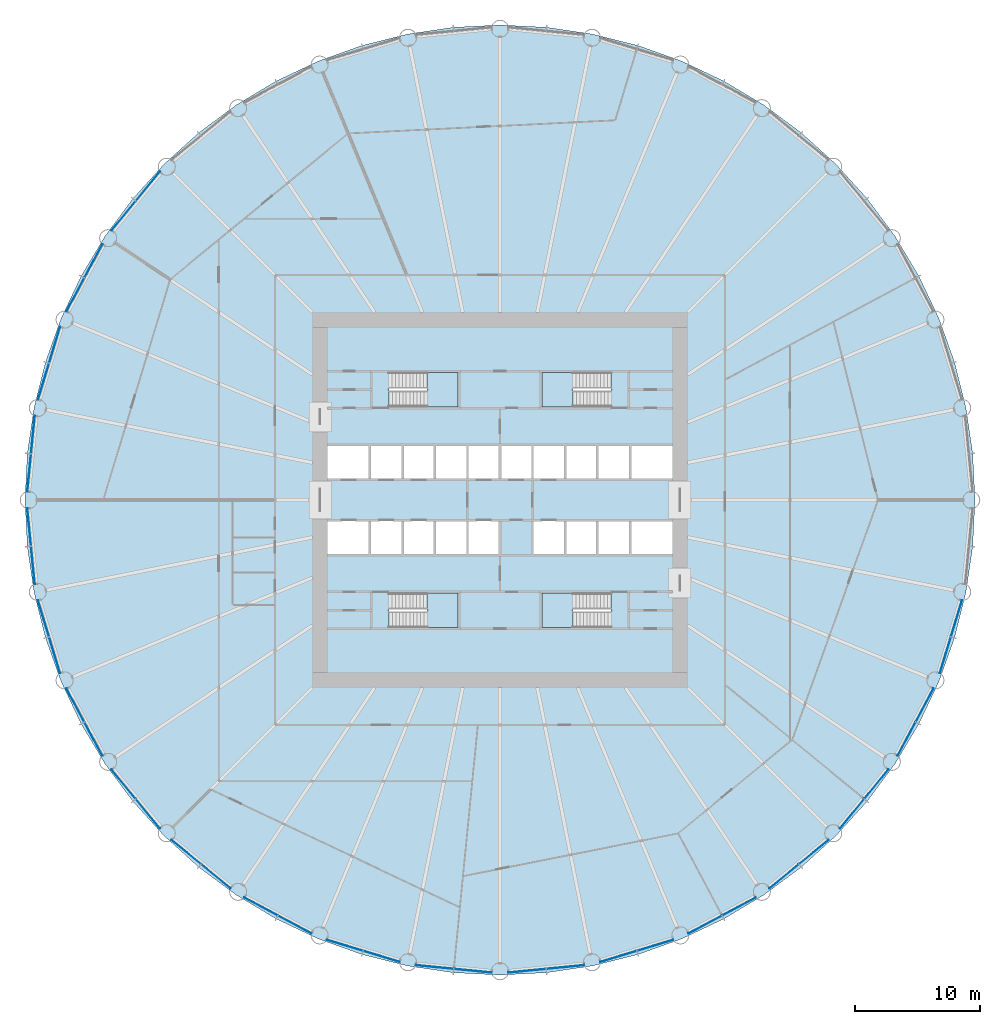
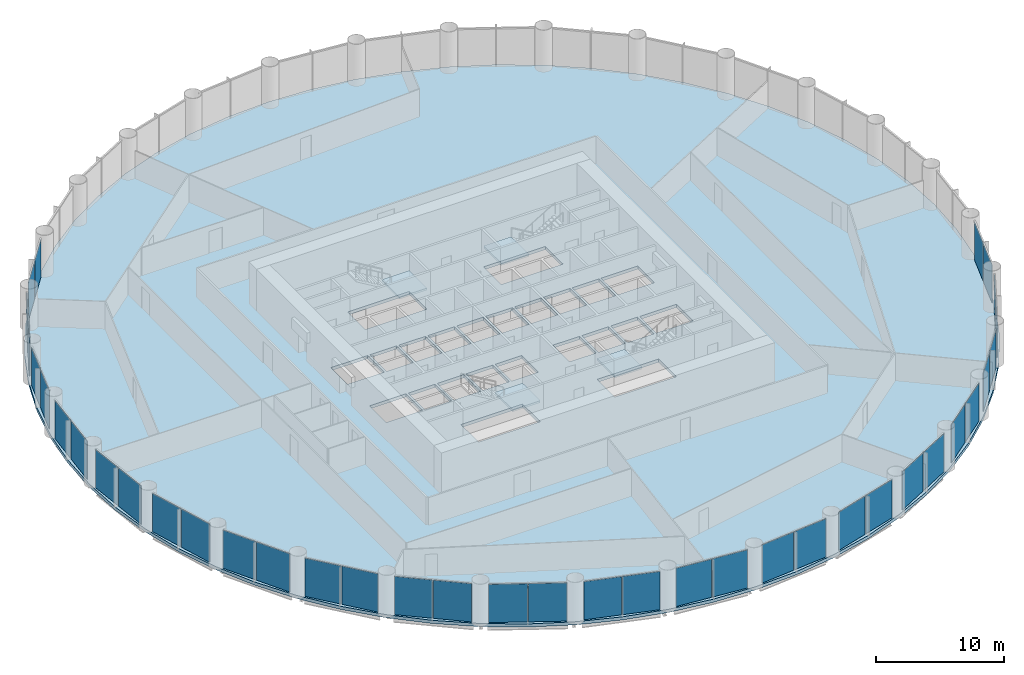
# One storey, part 8 of 14: 38 plates, 5 slabs, 23 elements without a shape of their own.
"""IFC4 building model written with IfcOpenShell, lengths in metres."""

from ifc_helpers import new_model, si_unit, direction, frame, origin, origin_2d, place, context, subcontext, project, spatial, polyline, rectangle, outline, extrude, material, layer, layer_set, type_object, element, aggregate, save


model = new_model("IFC4")

# Units and contexts
model_context = context("Model", 3, precision=1e-05, world=origin(), true_north=direction((0.0, 1.0)))
body_context = subcontext(model_context, "Body", "Model", "MODEL_VIEW")
ifc_project = project(units=[si_unit("LENGTHUNIT", "METRE"), si_unit("AREAUNIT", "SQUARE_METRE"), si_unit("VOLUMEUNIT", "CUBIC_METRE"), si_unit("PLANEANGLEUNIT", "RADIAN"), si_unit("MASSUNIT", "GRAM", prefix="KILO")], contexts=[model_context])

# Site, building, storey
site_placement = place(None, origin())
site = spatial("IfcSite", under=ifc_project, at=site_placement, CompositionType="ELEMENT")
building_placement = place(site_placement, origin())
building = spatial("IfcBuilding", under=site, at=building_placement, Name="Corvane Civic Tower", CompositionType="ELEMENT")
storey_placement = place(building_placement, frame((0.0, 0.0, 81.0)))
storey = spatial("IfcBuildingStorey", under=building, at=storey_placement, Name="L18", CompositionType="ELEMENT", Elevation=81.0)

# Slab
ifc_material_1 = material(Name="Concrete C40/50", Category="concrete")
ifc_layer_1 = layer(ifc_material_1, 0.300048828125)
ifc_layer_set_1 = layer_set([ifc_layer_1], Name="Concrete C40/50")
slab_type_1 = type_object("IfcSlabType", Name="FLOOR SLAB 300", PredefinedType="FLOOR", material=ifc_layer_set_1)
slab_1_placement = place(storey_placement, frame((0.0, 0.0, -0.300048828125)))
element("IfcSlab", 1, at=slab_1_placement, inside=storey, type_object=slab_type_1, Name="SLB-L18", PredefinedType="FLOOR", context=body_context, shape_type="SweptSolid", body=[
    extrude(outline(polyline([(0.0, 38.0), (-3.724609375, 37.817138671875), (-7.413330078125, 37.269775390625), (-11.03076171875, 36.36376953125), (-14.5419921875, 35.107421875), (-17.9130859375, 33.512939453125), (-21.111572265625, 31.595947265625), (-24.10693359375, 29.37451171875), (-26.8701171875, 26.8701171875), (-29.37451171875, 24.10693359375), (-31.595947265625, 21.111572265625), (-33.512939453125, 17.9130859375), (-35.107421875, 14.5419921875), (-36.36376953125, 11.03076171875), (-37.269775390625, 7.413330078125), (-37.817138671875, 3.724609375), (-38.0, 0.0), (-37.817138671875, -3.724609375), (-37.269775390625, -7.413330078125), (-36.36376953125, -11.03076171875), (-35.107421875, -14.5419921875), (-33.512939453125, -17.9130859375), (-31.595947265625, -21.111572265625), (-29.37451171875, -24.10693359375), (-26.8701171875, -26.8701171875), (-24.10693359375, -29.37451171875), (-21.111572265625, -31.595947265625), (-17.9130859375, -33.512939453125), (-14.5419921875, -35.107421875), (-11.03076171875, -36.36376953125), (-7.413330078125, -37.269775390625), (-3.724609375, -37.817138671875), (0.0, -38.0), (3.724609375, -37.817138671875), (7.413330078125, -37.269775390625), (11.03076171875, -36.36376953125), (14.5419921875, -35.107421875), (17.9130859375, -33.512939453125), (21.111572265625, -31.595947265625), (24.10693359375, -29.37451171875), (26.8701171875, -26.8701171875), (29.37451171875, -24.10693359375), (31.595947265625, -21.111572265625), (33.512939453125, -17.9130859375), (35.107421875, -14.5419921875), (36.36376953125, -11.03076171875), (37.269775390625, -7.413330078125), (37.817138671875, -3.724609375), (38.0, 0.0), (37.817138671875, 3.724609375), (37.269775390625, 7.413330078125), (36.36376953125, 11.03076171875), (35.107421875, 14.5419921875), (33.512939453125, 17.9130859375), (31.595947265625, 21.111572265625), (29.37451171875, 24.10693359375), (26.8701171875, 26.8701171875), (24.10693359375, 29.37451171875), (21.111572265625, 31.595947265625), (17.9130859375, 33.512939453125), (14.5419921875, 35.107421875), (11.03076171875, 36.36376953125), (7.413330078125, 37.269775390625), (3.724609375, 37.817138671875), (0.0, 38.0)]), holes=[polyline([(-13.800048828125, 4.300048828125), (-10.5, 4.300048828125), (-10.5, 1.699951171875), (-13.800048828125, 1.699951171875), (-13.800048828125, 4.300048828125)]), polyline([(-7.89990234375, 1.699951171875), (-10.300048828125, 1.699951171875), (-10.300048828125, 4.300048828125), (-7.89990234375, 4.300048828125), (-7.89990234375, 1.699951171875)]), polyline([(-7.699951171875, 4.300048828125), (-5.300048828125, 4.300048828125), (-5.300048828125, 1.699951171875), (-7.699951171875, 1.699951171875), (-7.699951171875, 4.300048828125)]), polyline([(-5.10009765625, 4.300048828125), (-2.699951171875, 4.300048828125), (-2.699951171875, 1.699951171875), (-5.10009765625, 1.699951171875), (-5.10009765625, 4.300048828125)]), polyline([(-0.10009765625, 1.699951171875), (-2.5, 1.699951171875), (-2.5, 4.300048828125), (-0.10009765625, 4.300048828125), (-0.10009765625, 1.699951171875)]), polyline([(2.5, 1.699951171875), (0.10009765625, 1.699951171875), (0.10009765625, 4.300048828125), (2.5, 4.300048828125), (2.5, 1.699951171875)]), polyline([(5.10009765625, 1.699951171875), (2.699951171875, 1.699951171875), (2.699951171875, 4.300048828125), (5.10009765625, 4.300048828125), (5.10009765625, 1.699951171875)]), polyline([(5.300048828125, 4.300048828125), (7.699951171875, 4.300048828125), (7.699951171875, 1.699951171875), (5.300048828125, 1.699951171875), (5.300048828125, 4.300048828125)]), polyline([(7.89990234375, 4.300048828125), (10.300048828125, 4.300048828125), (10.300048828125, 1.699951171875), (7.89990234375, 1.699951171875), (7.89990234375, 4.300048828125)]), polyline([(13.800048828125, 1.699951171875), (10.5, 1.699951171875), (10.5, 4.300048828125), (13.800048828125, 4.300048828125), (13.800048828125, 1.699951171875)]), polyline([(-13.800048828125, -1.699951171875), (-10.5, -1.699951171875), (-10.5, -4.300048828125), (-13.800048828125, -4.300048828125), (-13.800048828125, -1.699951171875)]), polyline([(-7.89990234375, -1.699951171875), (-7.89990234375, -4.300048828125), (-10.300048828125, -4.300048828125), (-10.300048828125, -1.699951171875), (-7.89990234375, -1.699951171875)]), polyline([(-5.300048828125, -1.699951171875), (-5.300048828125, -4.300048828125), (-7.699951171875, -4.300048828125), (-7.699951171875, -1.699951171875), (-5.300048828125, -1.699951171875)]), polyline([(-2.699951171875, -1.699951171875), (-2.699951171875, -4.300048828125), (-5.10009765625, -4.300048828125), (-5.10009765625, -1.699951171875), (-2.699951171875, -1.699951171875)]), polyline([(-2.5, -4.300048828125), (-2.5, -1.699951171875), (-0.10009765625, -1.699951171875), (-0.10009765625, -4.300048828125), (-2.5, -4.300048828125)]), polyline([(5.10009765625, -1.699951171875), (5.10009765625, -4.300048828125), (2.699951171875, -4.300048828125), (2.699951171875, -1.699951171875), (5.10009765625, -1.699951171875)]), polyline([(7.699951171875, -1.699951171875), (7.699951171875, -4.300048828125), (5.300048828125, -4.300048828125), (5.300048828125, -1.699951171875), (7.699951171875, -1.699951171875)]), polyline([(10.300048828125, -1.699951171875), (10.300048828125, -4.300048828125), (7.89990234375, -4.300048828125), (7.89990234375, -1.699951171875), (10.300048828125, -1.699951171875)]), polyline([(13.800048828125, -4.300048828125), (10.5, -4.300048828125), (10.5, -1.699951171875), (13.800048828125, -1.699951171875), (13.800048828125, -4.300048828125)]), polyline([(8.889892578125, 10.199951171875), (8.889892578125, 7.449951171875), (3.35009765625, 7.449951171875), (3.35009765625, 10.199951171875), (8.889892578125, 10.199951171875)]), polyline([(-8.889892578125, 7.449951171875), (-8.889892578125, 10.199951171875), (-3.35009765625, 10.199951171875), (-3.35009765625, 7.449951171875), (-8.889892578125, 7.449951171875)]), polyline([(8.889892578125, -7.449951171875), (8.889892578125, -10.199951171875), (3.35009765625, -10.199951171875), (3.35009765625, -7.449951171875), (8.889892578125, -7.449951171875)]), polyline([(-8.889892578125, -10.199951171875), (-8.889892578125, -7.449951171875), (-3.35009765625, -7.449951171875), (-3.35009765625, -10.199951171875), (-8.889892578125, -10.199951171875)])]), origin(), (0.0, 0.0, 1.0), 0.300048828125),
])

# Stair, slab
ifc_material_2 = material(Name="Concrete C40/50", Category="concrete")
stair_type = type_object("IfcStairType", Name="ST-STAIR-HALFTURN", PredefinedType="HALF_TURN_STAIR", material=ifc_material_2)
stair_1_placement = place(storey_placement, origin())
stair_1 = element("IfcStair", 2, at=stair_1_placement, inside=storey, type_object=stair_type, Name="L18 Exit stair ST1", PredefinedType="HALF_TURN_STAIR")
ifc_material_3 = material(Name="Concrete C40/50", Category="concrete")
ifc_layer_2 = layer(ifc_material_3, 0.199951171875)
ifc_layer_set_2 = layer_set([ifc_layer_2], Name="Concrete C40/50")
slab_type_2 = type_object("IfcSlabType", Name="ST-LANDING-RC", PredefinedType="LANDING", material=ifc_layer_set_2)
slab_2_placement = place(storey_placement, frame((0.0, 0.0, 1.800048828125)))
slab_2 = element("IfcSlab", 3, at=slab_2_placement, type_object=slab_type_2, Name="ST1 landing 1", PredefinedType="LANDING", context=body_context, shape_type="SweptSolid", body=[
    extrude(outline(polyline([(5.820068359375, 10.199951171875), (3.35009765625, 10.199951171875), (3.35009765625, 7.449951171875), (5.820068359375, 7.449951171875), (5.820068359375, 10.199951171875)])), origin(), (0.0, 0.0, 1.0), 0.199951171875),
])
aggregate(stair_1, [slab_2])

stair_2_placement = place(storey_placement, origin())
stair_2 = element("IfcStair", 4, at=stair_2_placement, inside=storey, type_object=stair_type, Name="L18 Exit stair ST2", PredefinedType="HALF_TURN_STAIR")
slab_3_placement = place(storey_placement, frame((0.0, 0.0, 1.800048828125)))
slab_3 = element("IfcSlab", 5, at=slab_3_placement, type_object=slab_type_2, Name="ST2 landing 1", PredefinedType="LANDING", context=body_context, shape_type="SweptSolid", body=[
    extrude(outline(polyline([(5.820068359375, -7.449951171875), (3.35009765625, -7.449951171875), (3.35009765625, -10.199951171875), (5.820068359375, -10.199951171875), (5.820068359375, -7.449951171875)])), origin(), (0.0, 0.0, 1.0), 0.199951171875),
])
aggregate(stair_2, [slab_3])

stair_3_placement = place(storey_placement, origin())
stair_3 = element("IfcStair", 6, at=stair_3_placement, inside=storey, type_object=stair_type, Name="L18 Exit stair ST3", PredefinedType="HALF_TURN_STAIR")
slab_4_placement = place(storey_placement, frame((0.0, 0.0, 1.800048828125)))
slab_4 = element("IfcSlab", 7, at=slab_4_placement, type_object=slab_type_2, Name="ST3 landing 1", PredefinedType="LANDING", context=body_context, shape_type="SweptSolid", body=[
    extrude(outline(polyline([(-5.820068359375, -10.199951171875), (-3.35009765625, -10.199951171875), (-3.35009765625, -7.449951171875), (-5.820068359375, -7.449951171875), (-5.820068359375, -10.199951171875)])), origin(), (0.0, 0.0, 1.0), 0.199951171875),
])
aggregate(stair_3, [slab_4])

stair_4_placement = place(storey_placement, origin())
stair_4 = element("IfcStair", 8, at=stair_4_placement, inside=storey, type_object=stair_type, Name="L18 Exit stair ST4", PredefinedType="HALF_TURN_STAIR")
slab_5_placement = place(storey_placement, frame((0.0, 0.0, 1.800048828125)))
slab_5 = element("IfcSlab", 9, at=slab_5_placement, type_object=slab_type_2, Name="ST4 landing 1", PredefinedType="LANDING", context=body_context, shape_type="SweptSolid", body=[
    extrude(outline(polyline([(-5.820068359375, 7.449951171875), (-3.35009765625, 7.449951171875), (-3.35009765625, 10.199951171875), (-5.820068359375, 10.199951171875), (-5.820068359375, 7.449951171875)])), origin(), (0.0, 0.0, 1.0), 0.199951171875),
])
aggregate(stair_4, [slab_5])

# Curtain wall, plates
ifc_material_4 = material(Name="Anodised aluminium bronze", Category="aluminium")
curtain_wall_type = type_object("IfcCurtainWallType", Name="TOWER CW-T1 STICK CURTAIN WALL", PredefinedType="NOTDEFINED", material=ifc_material_4)
curtain_wall_1_placement = place(storey_placement, origin())
curtain_wall_1 = element("IfcCurtainWall", 10, at=curtain_wall_1_placement, inside=storey, type_object=curtain_wall_type, Name="Curtain wall CW-T1 L18 bay 10", PredefinedType="NOTDEFINED")
ifc_material_5 = material(Name="Tinted glass", Category="glass")
ifc_layer_3 = layer(ifc_material_5, 0.035888671875)
ifc_layer_set_3 = layer_set([ifc_layer_3], Name="Tinted glass")
plate_type = type_object("IfcPlateType", Name="TOWER CW-T1 PANEL IGU36", PredefinedType="CURTAIN_PANEL", material=ifc_layer_set_3)
plate_1_placement = place(storey_placement, frame((36.522705078125, -9.46533203125, 0.0), z_axis=(0.0, 0.0, 1.0), x_axis=(-0.290278397654, -0.956942240606, 0.0)))
plate_1 = element("IfcPlate", 11, at=plate_1_placement, type_object=plate_type, Name="Glass panel CW-T1 L18 10.1", PredefinedType="CURTAIN_PANEL", context=body_context, shape_type="SweptSolid", body=[
    extrude(rectangle(XDim=3.008544921875, YDim=0.035888671875, at=origin_2d()), origin(), (0.0, 0.0, 1.0), 3.6298828125),
])
plate_2_placement = place(storey_placement, frame((35.6259765625, -12.4208984375, 0.0), z_axis=(0.0, 0.0, 1.0), x_axis=(-0.290278397654, -0.956942240606, 0.0)))
plate_2 = element("IfcPlate", 12, at=plate_2_placement, type_object=plate_type, Name="Glass panel CW-T1 L18 10.2", PredefinedType="CURTAIN_PANEL", context=body_context, shape_type="SweptSolid", body=[
    extrude(rectangle(XDim=3.008544921875, YDim=0.035888671875, at=origin_2d()), origin(), (0.0, 0.0, 1.0), 3.6298828125),
])
aggregate(curtain_wall_1, [plate_1, plate_2])

curtain_wall_2_placement = place(storey_placement, origin())
curtain_wall_2 = element("IfcCurtainWall", 13, at=curtain_wall_2_placement, inside=storey, type_object=curtain_wall_type, Name="Curtain wall CW-T1 L18 bay 11", PredefinedType="NOTDEFINED")
plate_3_placement = place(storey_placement, frame((33.974365234375, -16.40869140625, 0.0), z_axis=(0.0, 0.0, 1.0), x_axis=(-0.471403725359, -0.881917528864, 0.0)))
plate_3 = element("IfcPlate", 14, at=plate_3_placement, type_object=plate_type, Name="Glass panel CW-T1 L18 11.1", PredefinedType="CURTAIN_PANEL", context=body_context, shape_type="SweptSolid", body=[
    extrude(rectangle(XDim=3.008544921875, YDim=0.035888671875, at=origin_2d()), origin(), (0.0, 0.0, 1.0), 3.6298828125),
])
plate_4_placement = place(storey_placement, frame((32.518310546875, -19.132568359375, 0.0), z_axis=(0.0, 0.0, 1.0), x_axis=(-0.471403725359, -0.881917528864, 0.0)))
plate_4 = element("IfcPlate", 15, at=plate_4_placement, type_object=plate_type, Name="Glass panel CW-T1 L18 11.2", PredefinedType="CURTAIN_PANEL", context=body_context, shape_type="SweptSolid", body=[
    extrude(rectangle(XDim=3.008544921875, YDim=0.035888671875, at=origin_2d()), origin(), (0.0, 0.0, 1.0), 3.6298828125),
])
aggregate(curtain_wall_2, [plate_3, plate_4])

curtain_wall_3_placement = place(storey_placement, origin())
curtain_wall_3 = element("IfcCurtainWall", 16, at=curtain_wall_3_placement, inside=storey, type_object=curtain_wall_type, Name="Curtain wall CW-T1 L18 bay 12", PredefinedType="NOTDEFINED")
plate_5_placement = place(storey_placement, frame((30.120361328125, -22.721435546875, 0.0), z_axis=(0.0, 0.0, 1.0), x_axis=(-0.634397218569, -0.773007224463, 0.0)))
plate_5 = element("IfcPlate", 17, at=plate_5_placement, type_object=plate_type, Name="Glass panel CW-T1 L18 12.1", PredefinedType="CURTAIN_PANEL", context=body_context, shape_type="SweptSolid", body=[
    extrude(rectangle(XDim=3.008544921875, YDim=0.035888671875, at=origin_2d()), origin(), (0.0, 0.0, 1.0), 3.6298828125),
])
plate_6_placement = place(storey_placement, frame((28.160888671875, -25.10888671875, 0.0), z_axis=(0.0, 0.0, 1.0), x_axis=(-0.634397218569, -0.773007224463, 0.0)))
plate_6 = element("IfcPlate", 18, at=plate_6_placement, type_object=plate_type, Name="Glass panel CW-T1 L18 12.2", PredefinedType="CURTAIN_PANEL", context=body_context, shape_type="SweptSolid", body=[
    extrude(rectangle(XDim=3.008544921875, YDim=0.035888671875, at=origin_2d()), origin(), (0.0, 0.0, 1.0), 3.6298828125),
])
aggregate(curtain_wall_3, [plate_5, plate_6])

curtain_wall_4_placement = place(storey_placement, origin())
curtain_wall_4 = element("IfcCurtainWall", 19, at=curtain_wall_4_placement, inside=storey, type_object=curtain_wall_type, Name="Curtain wall CW-T1 L18 bay 13", PredefinedType="NOTDEFINED")
plate_7_placement = place(storey_placement, frame((25.10888671875, -28.160888671875, 0.0), z_axis=(0.0, 0.0, 1.0), x_axis=(-0.773007224463, -0.634397218569, 0.0)))
plate_7 = element("IfcPlate", 20, at=plate_7_placement, type_object=plate_type, Name="Glass panel CW-T1 L18 13.1", PredefinedType="CURTAIN_PANEL", context=body_context, shape_type="SweptSolid", body=[
    extrude(rectangle(XDim=3.008544921875, YDim=0.035888671875, at=origin_2d()), origin(), (0.0, 0.0, 1.0), 3.6298828125),
])
plate_8_placement = place(storey_placement, frame((22.721435546875, -30.120361328125, 0.0), z_axis=(0.0, 0.0, 1.0), x_axis=(-0.773007224463, -0.634397218569, 0.0)))
plate_8 = element("IfcPlate", 21, at=plate_8_placement, type_object=plate_type, Name="Glass panel CW-T1 L18 13.2", PredefinedType="CURTAIN_PANEL", context=body_context, shape_type="SweptSolid", body=[
    extrude(rectangle(XDim=3.008544921875, YDim=0.035888671875, at=origin_2d()), origin(), (0.0, 0.0, 1.0), 3.6298828125),
])
aggregate(curtain_wall_4, [plate_7, plate_8])

curtain_wall_5_placement = place(storey_placement, origin())
curtain_wall_5 = element("IfcCurtainWall", 22, at=curtain_wall_5_placement, inside=storey, type_object=curtain_wall_type, Name="Curtain wall CW-T1 L18 bay 14", PredefinedType="NOTDEFINED")
plate_9_placement = place(storey_placement, frame((19.132568359375, -32.518310546875, 0.0), z_axis=(0.0, 0.0, 1.0), x_axis=(-0.881917528864, -0.471403725359, 0.0)))
plate_9 = element("IfcPlate", 23, at=plate_9_placement, type_object=plate_type, Name="Glass panel CW-T1 L18 14.1", PredefinedType="CURTAIN_PANEL", context=body_context, shape_type="SweptSolid", body=[
    extrude(rectangle(XDim=3.008544921875, YDim=0.035888671875, at=origin_2d()), origin(), (0.0, 0.0, 1.0), 3.6298828125),
])
plate_10_placement = place(storey_placement, frame((16.40869140625, -33.974365234375, 0.0), z_axis=(0.0, 0.0, 1.0), x_axis=(-0.881917528864, -0.471403725359, 0.0)))
plate_10 = element("IfcPlate", 24, at=plate_10_placement, type_object=plate_type, Name="Glass panel CW-T1 L18 14.2", PredefinedType="CURTAIN_PANEL", context=body_context, shape_type="SweptSolid", body=[
    extrude(rectangle(XDim=3.008544921875, YDim=0.035888671875, at=origin_2d()), origin(), (0.0, 0.0, 1.0), 3.6298828125),
])
aggregate(curtain_wall_5, [plate_9, plate_10])

curtain_wall_6_placement = place(storey_placement, origin())
curtain_wall_6 = element("IfcCurtainWall", 25, at=curtain_wall_6_placement, inside=storey, type_object=curtain_wall_type, Name="Curtain wall CW-T1 L18 bay 15", PredefinedType="NOTDEFINED")
plate_11_placement = place(storey_placement, frame((12.4208984375, -35.6259765625, 0.0), z_axis=(0.0, 0.0, 1.0), x_axis=(-0.956942240606, -0.290278397654, 0.0)))
plate_11 = element("IfcPlate", 26, at=plate_11_placement, type_object=plate_type, Name="Glass panel CW-T1 L18 15.1", PredefinedType="CURTAIN_PANEL", context=body_context, shape_type="SweptSolid", body=[
    extrude(rectangle(XDim=3.008544921875, YDim=0.035888671875, at=origin_2d()), origin(), (0.0, 0.0, 1.0), 3.6298828125),
])
plate_12_placement = place(storey_placement, frame((9.46533203125, -36.522705078125, 0.0), z_axis=(0.0, 0.0, 1.0), x_axis=(-0.956942240606, -0.290278397654, 0.0)))
plate_12 = element("IfcPlate", 27, at=plate_12_placement, type_object=plate_type, Name="Glass panel CW-T1 L18 15.2", PredefinedType="CURTAIN_PANEL", context=body_context, shape_type="SweptSolid", body=[
    extrude(rectangle(XDim=3.008544921875, YDim=0.035888671875, at=origin_2d()), origin(), (0.0, 0.0, 1.0), 3.6298828125),
])
aggregate(curtain_wall_6, [plate_11, plate_12])

curtain_wall_7_placement = place(storey_placement, origin())
curtain_wall_7 = element("IfcCurtainWall", 28, at=curtain_wall_7_placement, inside=storey, type_object=curtain_wall_type, Name="Curtain wall CW-T1 L18 bay 16", PredefinedType="NOTDEFINED")
plate_13_placement = place(storey_placement, frame((5.23193359375, -37.36474609375, 0.0), z_axis=(0.0, 0.0, 1.0), x_axis=(-0.995185800248, -0.098006239521, 0.0)))
plate_13 = element("IfcPlate", 29, at=plate_13_placement, type_object=plate_type, Name="Glass panel CW-T1 L18 16.1", PredefinedType="CURTAIN_PANEL", context=body_context, shape_type="SweptSolid", body=[
    extrude(rectangle(XDim=3.008544921875, YDim=0.035888671875, at=origin_2d()), origin(), (0.0, 0.0, 1.0), 3.6298828125),
])
plate_14_placement = place(storey_placement, frame((2.158203125, -37.667236328125, 0.0), z_axis=(0.0, 0.0, 1.0), x_axis=(-0.995185800248, -0.098006239521, 0.0)))
plate_14 = element("IfcPlate", 30, at=plate_14_placement, type_object=plate_type, Name="Glass panel CW-T1 L18 16.2", PredefinedType="CURTAIN_PANEL", context=body_context, shape_type="SweptSolid", body=[
    extrude(rectangle(XDim=3.008544921875, YDim=0.035888671875, at=origin_2d()), origin(), (0.0, 0.0, 1.0), 3.6298828125),
])
aggregate(curtain_wall_7, [plate_13, plate_14])

curtain_wall_8_placement = place(storey_placement, origin())
curtain_wall_8 = element("IfcCurtainWall", 31, at=curtain_wall_8_placement, inside=storey, type_object=curtain_wall_type, Name="Curtain wall CW-T1 L18 bay 17", PredefinedType="NOTDEFINED")
plate_15_placement = place(storey_placement, frame((-2.158203125, -37.667236328125, 0.0), z_axis=(0.0, 0.0, 1.0), x_axis=(-0.995185800248, 0.098006239521, 0.0)))
plate_15 = element("IfcPlate", 32, at=plate_15_placement, type_object=plate_type, Name="Glass panel CW-T1 L18 17.1", PredefinedType="CURTAIN_PANEL", context=body_context, shape_type="SweptSolid", body=[
    extrude(rectangle(XDim=3.008544921875, YDim=0.035888671875, at=origin_2d()), origin(), (0.0, 0.0, 1.0), 3.6298828125),
])
plate_16_placement = place(storey_placement, frame((-5.23193359375, -37.36474609375, 0.0), z_axis=(0.0, 0.0, 1.0), x_axis=(-0.995185800248, 0.098006239521, 0.0)))
plate_16 = element("IfcPlate", 33, at=plate_16_placement, type_object=plate_type, Name="Glass panel CW-T1 L18 17.2", PredefinedType="CURTAIN_PANEL", context=body_context, shape_type="SweptSolid", body=[
    extrude(rectangle(XDim=3.008544921875, YDim=0.035888671875, at=origin_2d()), origin(), (0.0, 0.0, 1.0), 3.6298828125),
])
aggregate(curtain_wall_8, [plate_15, plate_16])

curtain_wall_9_placement = place(storey_placement, origin())
curtain_wall_9 = element("IfcCurtainWall", 34, at=curtain_wall_9_placement, inside=storey, type_object=curtain_wall_type, Name="Curtain wall CW-T1 L18 bay 18", PredefinedType="NOTDEFINED")
plate_17_placement = place(storey_placement, frame((-9.46533203125, -36.522705078125, 0.0), z_axis=(0.0, 0.0, 1.0), x_axis=(-0.956942240606, 0.290278397654, 0.0)))
plate_17 = element("IfcPlate", 35, at=plate_17_placement, type_object=plate_type, Name="Glass panel CW-T1 L18 18.1", PredefinedType="CURTAIN_PANEL", context=body_context, shape_type="SweptSolid", body=[
    extrude(rectangle(XDim=3.008544921875, YDim=0.035888671875, at=origin_2d()), origin(), (0.0, 0.0, 1.0), 3.6298828125),
])
plate_18_placement = place(storey_placement, frame((-12.4208984375, -35.6259765625, 0.0), z_axis=(0.0, 0.0, 1.0), x_axis=(-0.956942240606, 0.290278397654, 0.0)))
plate_18 = element("IfcPlate", 36, at=plate_18_placement, type_object=plate_type, Name="Glass panel CW-T1 L18 18.2", PredefinedType="CURTAIN_PANEL", context=body_context, shape_type="SweptSolid", body=[
    extrude(rectangle(XDim=3.008544921875, YDim=0.035888671875, at=origin_2d()), origin(), (0.0, 0.0, 1.0), 3.6298828125),
])
aggregate(curtain_wall_9, [plate_17, plate_18])

curtain_wall_10_placement = place(storey_placement, origin())
curtain_wall_10 = element("IfcCurtainWall", 37, at=curtain_wall_10_placement, inside=storey, type_object=curtain_wall_type, Name="Curtain wall CW-T1 L18 bay 19", PredefinedType="NOTDEFINED")
plate_19_placement = place(storey_placement, frame((-16.40869140625, -33.974365234375, 0.0), z_axis=(0.0, 0.0, 1.0), x_axis=(-0.881917528864, 0.471403725359, 0.0)))
plate_19 = element("IfcPlate", 38, at=plate_19_placement, type_object=plate_type, Name="Glass panel CW-T1 L18 19.1", PredefinedType="CURTAIN_PANEL", context=body_context, shape_type="SweptSolid", body=[
    extrude(rectangle(XDim=3.008544921875, YDim=0.035888671875, at=origin_2d()), origin(), (0.0, 0.0, 1.0), 3.6298828125),
])
plate_20_placement = place(storey_placement, frame((-19.132568359375, -32.518310546875, 0.0), z_axis=(0.0, 0.0, 1.0), x_axis=(-0.881917528864, 0.471403725359, 0.0)))
plate_20 = element("IfcPlate", 39, at=plate_20_placement, type_object=plate_type, Name="Glass panel CW-T1 L18 19.2", PredefinedType="CURTAIN_PANEL", context=body_context, shape_type="SweptSolid", body=[
    extrude(rectangle(XDim=3.008544921875, YDim=0.035888671875, at=origin_2d()), origin(), (0.0, 0.0, 1.0), 3.6298828125),
])
aggregate(curtain_wall_10, [plate_19, plate_20])

curtain_wall_11_placement = place(storey_placement, origin())
curtain_wall_11 = element("IfcCurtainWall", 40, at=curtain_wall_11_placement, inside=storey, type_object=curtain_wall_type, Name="Curtain wall CW-T1 L18 bay 20", PredefinedType="NOTDEFINED")
plate_21_placement = place(storey_placement, frame((-22.721435546875, -30.120361328125, 0.0), z_axis=(0.0, 0.0, 1.0), x_axis=(-0.773007224463, 0.634397218569, 0.0)))
plate_21 = element("IfcPlate", 41, at=plate_21_placement, type_object=plate_type, Name="Glass panel CW-T1 L18 20.1", PredefinedType="CURTAIN_PANEL", context=body_context, shape_type="SweptSolid", body=[
    extrude(rectangle(XDim=3.008544921875, YDim=0.035888671875, at=origin_2d()), origin(), (0.0, 0.0, 1.0), 3.6298828125),
])
plate_22_placement = place(storey_placement, frame((-25.10888671875, -28.160888671875, 0.0), z_axis=(0.0, 0.0, 1.0), x_axis=(-0.773007224463, 0.634397218569, 0.0)))
plate_22 = element("IfcPlate", 42, at=plate_22_placement, type_object=plate_type, Name="Glass panel CW-T1 L18 20.2", PredefinedType="CURTAIN_PANEL", context=body_context, shape_type="SweptSolid", body=[
    extrude(rectangle(XDim=3.008544921875, YDim=0.035888671875, at=origin_2d()), origin(), (0.0, 0.0, 1.0), 3.6298828125),
])
aggregate(curtain_wall_11, [plate_21, plate_22])

curtain_wall_12_placement = place(storey_placement, origin())
curtain_wall_12 = element("IfcCurtainWall", 43, at=curtain_wall_12_placement, inside=storey, type_object=curtain_wall_type, Name="Curtain wall CW-T1 L18 bay 21", PredefinedType="NOTDEFINED")
plate_23_placement = place(storey_placement, frame((-28.160888671875, -25.10888671875, 0.0), z_axis=(0.0, 0.0, 1.0), x_axis=(-0.634397218569, 0.773007224463, 0.0)))
plate_23 = element("IfcPlate", 44, at=plate_23_placement, type_object=plate_type, Name="Glass panel CW-T1 L18 21.1", PredefinedType="CURTAIN_PANEL", context=body_context, shape_type="SweptSolid", body=[
    extrude(rectangle(XDim=3.008544921875, YDim=0.035888671875, at=origin_2d()), origin(), (0.0, 0.0, 1.0), 3.6298828125),
])
plate_24_placement = place(storey_placement, frame((-30.120361328125, -22.721435546875, 0.0), z_axis=(0.0, 0.0, 1.0), x_axis=(-0.634397218569, 0.773007224463, 0.0)))
plate_24 = element("IfcPlate", 45, at=plate_24_placement, type_object=plate_type, Name="Glass panel CW-T1 L18 21.2", PredefinedType="CURTAIN_PANEL", context=body_context, shape_type="SweptSolid", body=[
    extrude(rectangle(XDim=3.008544921875, YDim=0.035888671875, at=origin_2d()), origin(), (0.0, 0.0, 1.0), 3.6298828125),
])
aggregate(curtain_wall_12, [plate_23, plate_24])

curtain_wall_13_placement = place(storey_placement, origin())
curtain_wall_13 = element("IfcCurtainWall", 46, at=curtain_wall_13_placement, inside=storey, type_object=curtain_wall_type, Name="Curtain wall CW-T1 L18 bay 22", PredefinedType="NOTDEFINED")
plate_25_placement = place(storey_placement, frame((-32.518310546875, -19.132568359375, 0.0), z_axis=(0.0, 0.0, 1.0), x_axis=(-0.471403725359, 0.881917528864, 0.0)))
plate_25 = element("IfcPlate", 47, at=plate_25_placement, type_object=plate_type, Name="Glass panel CW-T1 L18 22.1", PredefinedType="CURTAIN_PANEL", context=body_context, shape_type="SweptSolid", body=[
    extrude(rectangle(XDim=3.008544921875, YDim=0.035888671875, at=origin_2d()), origin(), (0.0, 0.0, 1.0), 3.6298828125),
])
plate_26_placement = place(storey_placement, frame((-33.974365234375, -16.40869140625, 0.0), z_axis=(0.0, 0.0, 1.0), x_axis=(-0.471403725359, 0.881917528864, 0.0)))
plate_26 = element("IfcPlate", 48, at=plate_26_placement, type_object=plate_type, Name="Glass panel CW-T1 L18 22.2", PredefinedType="CURTAIN_PANEL", context=body_context, shape_type="SweptSolid", body=[
    extrude(rectangle(XDim=3.008544921875, YDim=0.035888671875, at=origin_2d()), origin(), (0.0, 0.0, 1.0), 3.6298828125),
])
aggregate(curtain_wall_13, [plate_25, plate_26])

curtain_wall_14_placement = place(storey_placement, origin())
curtain_wall_14 = element("IfcCurtainWall", 49, at=curtain_wall_14_placement, inside=storey, type_object=curtain_wall_type, Name="Curtain wall CW-T1 L18 bay 23", PredefinedType="NOTDEFINED")
plate_27_placement = place(storey_placement, frame((-35.6259765625, -12.4208984375, 0.0), z_axis=(0.0, 0.0, 1.0), x_axis=(-0.290278397654, 0.956942240606, 0.0)))
plate_27 = element("IfcPlate", 50, at=plate_27_placement, type_object=plate_type, Name="Glass panel CW-T1 L18 23.1", PredefinedType="CURTAIN_PANEL", context=body_context, shape_type="SweptSolid", body=[
    extrude(rectangle(XDim=3.008544921875, YDim=0.035888671875, at=origin_2d()), origin(), (0.0, 0.0, 1.0), 3.6298828125),
])
plate_28_placement = place(storey_placement, frame((-36.522705078125, -9.46533203125, 0.0), z_axis=(0.0, 0.0, 1.0), x_axis=(-0.290278397654, 0.956942240606, 0.0)))
plate_28 = element("IfcPlate", 51, at=plate_28_placement, type_object=plate_type, Name="Glass panel CW-T1 L18 23.2", PredefinedType="CURTAIN_PANEL", context=body_context, shape_type="SweptSolid", body=[
    extrude(rectangle(XDim=3.008544921875, YDim=0.035888671875, at=origin_2d()), origin(), (0.0, 0.0, 1.0), 3.6298828125),
])
aggregate(curtain_wall_14, [plate_27, plate_28])

curtain_wall_15_placement = place(storey_placement, origin())
curtain_wall_15 = element("IfcCurtainWall", 52, at=curtain_wall_15_placement, inside=storey, type_object=curtain_wall_type, Name="Curtain wall CW-T1 L18 bay 24", PredefinedType="NOTDEFINED")
plate_29_placement = place(storey_placement, frame((-37.36474609375, -5.23193359375, 0.0), z_axis=(0.0, 0.0, 1.0), x_axis=(-0.098006239521, 0.995185800248, 0.0)))
plate_29 = element("IfcPlate", 53, at=plate_29_placement, type_object=plate_type, Name="Glass panel CW-T1 L18 24.1", PredefinedType="CURTAIN_PANEL", context=body_context, shape_type="SweptSolid", body=[
    extrude(rectangle(XDim=3.008544921875, YDim=0.035888671875, at=origin_2d()), origin(), (0.0, 0.0, 1.0), 3.6298828125),
])
plate_30_placement = place(storey_placement, frame((-37.667236328125, -2.158203125, 0.0), z_axis=(0.0, 0.0, 1.0), x_axis=(-0.098006239521, 0.995185800248, 0.0)))
plate_30 = element("IfcPlate", 54, at=plate_30_placement, type_object=plate_type, Name="Glass panel CW-T1 L18 24.2", PredefinedType="CURTAIN_PANEL", context=body_context, shape_type="SweptSolid", body=[
    extrude(rectangle(XDim=3.008544921875, YDim=0.035888671875, at=origin_2d()), origin(), (0.0, 0.0, 1.0), 3.6298828125),
])
aggregate(curtain_wall_15, [plate_29, plate_30])

curtain_wall_16_placement = place(storey_placement, origin())
curtain_wall_16 = element("IfcCurtainWall", 55, at=curtain_wall_16_placement, inside=storey, type_object=curtain_wall_type, Name="Curtain wall CW-T1 L18 bay 25", PredefinedType="NOTDEFINED")
plate_31_placement = place(storey_placement, frame((-37.667236328125, 2.158203125, 0.0), z_axis=(0.0, 0.0, 1.0), x_axis=(0.098006239521, 0.995185800248, 0.0)))
plate_31 = element("IfcPlate", 56, at=plate_31_placement, type_object=plate_type, Name="Glass panel CW-T1 L18 25.1", PredefinedType="CURTAIN_PANEL", context=body_context, shape_type="SweptSolid", body=[
    extrude(rectangle(XDim=3.008544921875, YDim=0.035888671875, at=origin_2d()), origin(), (0.0, 0.0, 1.0), 3.6298828125),
])
plate_32_placement = place(storey_placement, frame((-37.36474609375, 5.23193359375, 0.0), z_axis=(0.0, 0.0, 1.0), x_axis=(0.098006239521, 0.995185800248, 0.0)))
plate_32 = element("IfcPlate", 57, at=plate_32_placement, type_object=plate_type, Name="Glass panel CW-T1 L18 25.2", PredefinedType="CURTAIN_PANEL", context=body_context, shape_type="SweptSolid", body=[
    extrude(rectangle(XDim=3.008544921875, YDim=0.035888671875, at=origin_2d()), origin(), (0.0, 0.0, 1.0), 3.6298828125),
])
aggregate(curtain_wall_16, [plate_31, plate_32])

curtain_wall_17_placement = place(storey_placement, origin())
curtain_wall_17 = element("IfcCurtainWall", 58, at=curtain_wall_17_placement, inside=storey, type_object=curtain_wall_type, Name="Curtain wall CW-T1 L18 bay 26", PredefinedType="NOTDEFINED")
plate_33_placement = place(storey_placement, frame((-36.522705078125, 9.46533203125, 0.0), z_axis=(0.0, 0.0, 1.0), x_axis=(0.290278397654, 0.956942240606, 0.0)))
plate_33 = element("IfcPlate", 59, at=plate_33_placement, type_object=plate_type, Name="Glass panel CW-T1 L18 26.1", PredefinedType="CURTAIN_PANEL", context=body_context, shape_type="SweptSolid", body=[
    extrude(rectangle(XDim=3.008544921875, YDim=0.035888671875, at=origin_2d()), origin(), (0.0, 0.0, 1.0), 3.6298828125),
])
plate_34_placement = place(storey_placement, frame((-35.6259765625, 12.4208984375, 0.0), z_axis=(0.0, 0.0, 1.0), x_axis=(0.290278397654, 0.956942240606, 0.0)))
plate_34 = element("IfcPlate", 60, at=plate_34_placement, type_object=plate_type, Name="Glass panel CW-T1 L18 26.2", PredefinedType="CURTAIN_PANEL", context=body_context, shape_type="SweptSolid", body=[
    extrude(rectangle(XDim=3.008544921875, YDim=0.035888671875, at=origin_2d()), origin(), (0.0, 0.0, 1.0), 3.6298828125),
])
aggregate(curtain_wall_17, [plate_33, plate_34])

curtain_wall_18_placement = place(storey_placement, origin())
curtain_wall_18 = element("IfcCurtainWall", 61, at=curtain_wall_18_placement, inside=storey, type_object=curtain_wall_type, Name="Curtain wall CW-T1 L18 bay 27", PredefinedType="NOTDEFINED")
plate_35_placement = place(storey_placement, frame((-33.974365234375, 16.40869140625, 0.0), z_axis=(0.0, 0.0, 1.0), x_axis=(0.471403725359, 0.881917528864, 0.0)))
plate_35 = element("IfcPlate", 62, at=plate_35_placement, type_object=plate_type, Name="Glass panel CW-T1 L18 27.1", PredefinedType="CURTAIN_PANEL", context=body_context, shape_type="SweptSolid", body=[
    extrude(rectangle(XDim=3.008544921875, YDim=0.035888671875, at=origin_2d()), origin(), (0.0, 0.0, 1.0), 3.6298828125),
])
plate_36_placement = place(storey_placement, frame((-32.518310546875, 19.132568359375, 0.0), z_axis=(0.0, 0.0, 1.0), x_axis=(0.471403725359, 0.881917528864, 0.0)))
plate_36 = element("IfcPlate", 63, at=plate_36_placement, type_object=plate_type, Name="Glass panel CW-T1 L18 27.2", PredefinedType="CURTAIN_PANEL", context=body_context, shape_type="SweptSolid", body=[
    extrude(rectangle(XDim=3.008544921875, YDim=0.035888671875, at=origin_2d()), origin(), (0.0, 0.0, 1.0), 3.6298828125),
])
aggregate(curtain_wall_18, [plate_35, plate_36])

curtain_wall_19_placement = place(storey_placement, origin())
curtain_wall_19 = element("IfcCurtainWall", 64, at=curtain_wall_19_placement, inside=storey, type_object=curtain_wall_type, Name="Curtain wall CW-T1 L18 bay 28", PredefinedType="NOTDEFINED")
plate_37_placement = place(storey_placement, frame((-30.120361328125, 22.721435546875, 0.0), z_axis=(0.0, 0.0, 1.0), x_axis=(0.634397218569, 0.773007224463, 0.0)))
plate_37 = element("IfcPlate", 65, at=plate_37_placement, type_object=plate_type, Name="Glass panel CW-T1 L18 28.1", PredefinedType="CURTAIN_PANEL", context=body_context, shape_type="SweptSolid", body=[
    extrude(rectangle(XDim=3.008544921875, YDim=0.035888671875, at=origin_2d()), origin(), (0.0, 0.0, 1.0), 3.6298828125),
])
plate_38_placement = place(storey_placement, frame((-28.160888671875, 25.10888671875, 0.0), z_axis=(0.0, 0.0, 1.0), x_axis=(0.634397218569, 0.773007224463, 0.0)))
plate_38 = element("IfcPlate", 66, at=plate_38_placement, type_object=plate_type, Name="Glass panel CW-T1 L18 28.2", PredefinedType="CURTAIN_PANEL", context=body_context, shape_type="SweptSolid", body=[
    extrude(rectangle(XDim=3.008544921875, YDim=0.035888671875, at=origin_2d()), origin(), (0.0, 0.0, 1.0), 3.6298828125),
])
aggregate(curtain_wall_19, [plate_37, plate_38])

save(model, "model.ifc")
